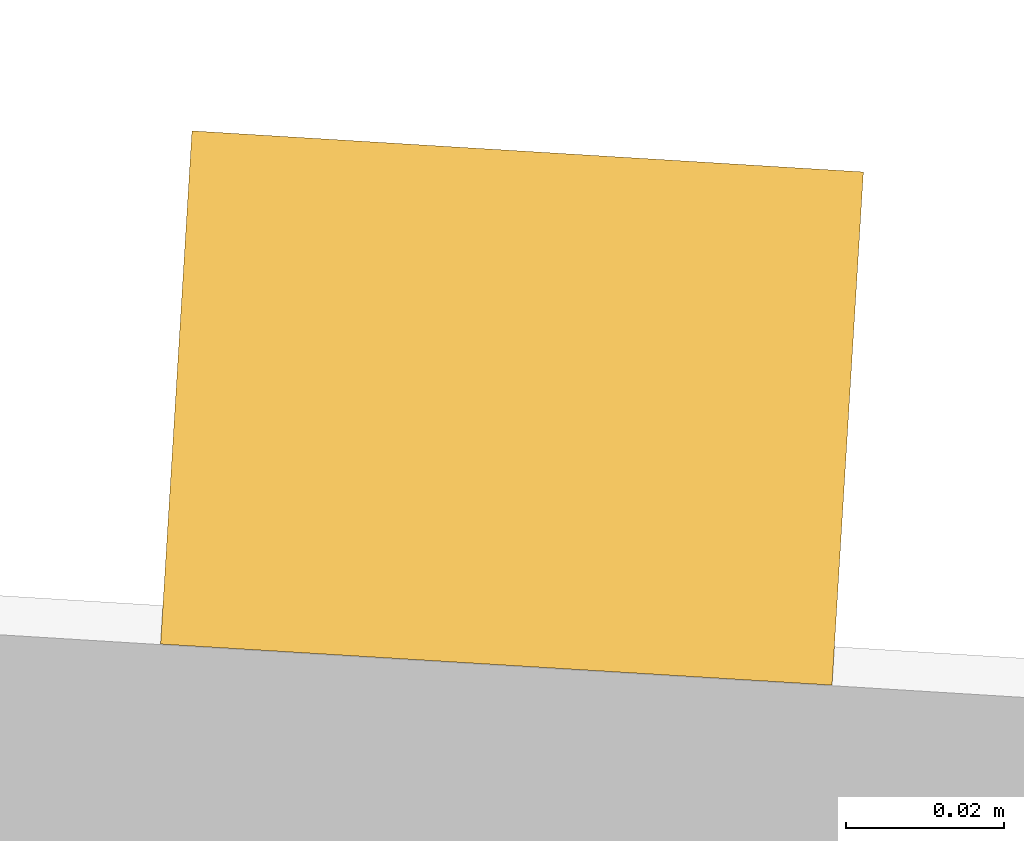
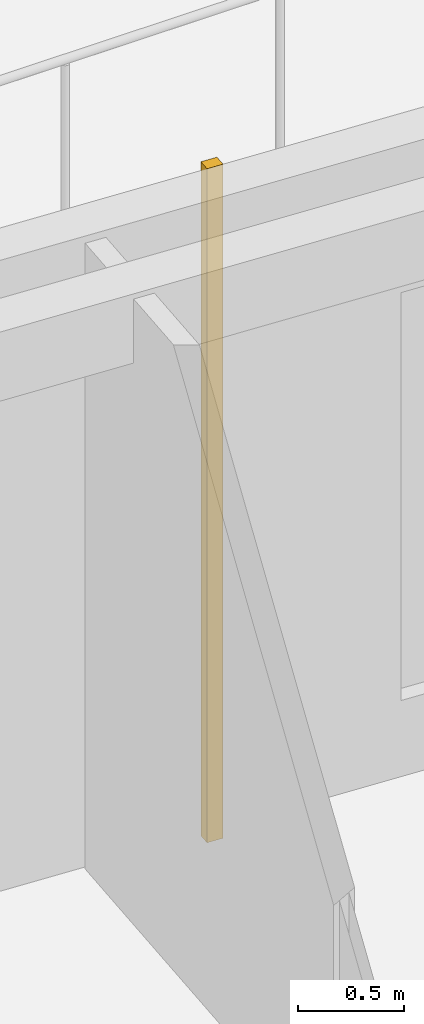
# One storey, part 131 of 150: 1 covering.
"""IFC4 building model written with IfcOpenShell, lengths in metres."""

from ifc_helpers import new_model, si_unit, direction, frame, origin, origin_2d, place, context, subcontext, project, spatial, rectangle, extrude, material, layer, layer_set, type_object, element, save


model = new_model("IFC4")

# Units and contexts
model_context = context("Model", 3, precision=1e-05, world=origin(), true_north=direction((0.0, 1.0)))
body_context = subcontext(model_context, "Body", "Model", "MODEL_VIEW")
ifc_project = project(units=[si_unit("LENGTHUNIT", "METRE"), si_unit("AREAUNIT", "SQUARE_METRE"), si_unit("VOLUMEUNIT", "CUBIC_METRE"), si_unit("PLANEANGLEUNIT", "RADIAN"), si_unit("MASSUNIT", "GRAM", prefix="KILO")], contexts=[model_context])

# Site, building, storey
site_placement = place(None, origin())
site = spatial("IfcSite", under=ifc_project, at=site_placement, CompositionType="ELEMENT")
building_placement = place(site_placement, origin())
building = spatial("IfcBuilding", under=site, at=building_placement, Name="Kestramere Prow Commons", CompositionType="ELEMENT")
storey_placement = place(building_placement, frame((0.0, 0.0, 4.5)))
storey = spatial("IfcBuildingStorey", under=building, at=storey_placement, Name="L01", CompositionType="ELEMENT", Elevation=4.5)

# Covering
ifc_material = material(Name="Weathered Zinc-Titanium Standing-Seam Cladding")
ifc_layer = layer(ifc_material, 0.074951171875)
ifc_layer_set = layer_set([ifc_layer], Name="Weathered Zinc-Titanium Standing-Seam Cladding")
covering_type = type_object("IfcCoveringType", Name="COV-CLAD-SEAM", PredefinedType="CLADDING", material=ifc_layer_set)
covering_placement = place(storey_placement, frame((95.6328125, 64.60546875, -0.25), z_axis=(0.0, 0.0, 1.0), x_axis=(0.998134798422, -0.061048539535, 0.0)))
element("IfcCovering", 1, at=covering_placement, inside=storey, type_object=covering_type, Name="EW-C-L01-N-4 Standing-Seam Rib 3", PredefinedType="CLADDING", context=body_context, shape_type="SweptSolid", body=[
    extrude(rectangle(XDim=0.0849609375, YDim=0.06494140625, at=origin_2d()), origin(), (0.0, 0.0, 1.0), 3.89990234375),
])

save(model, "model.ifc")
